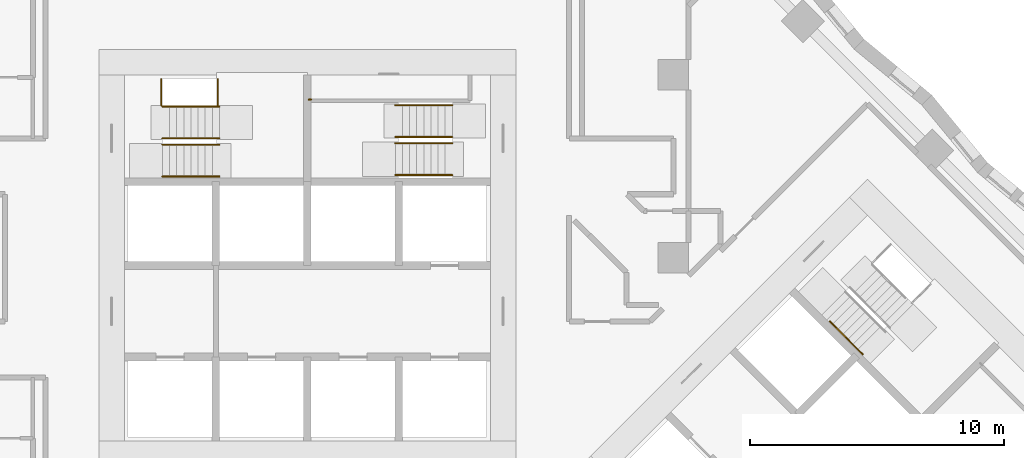
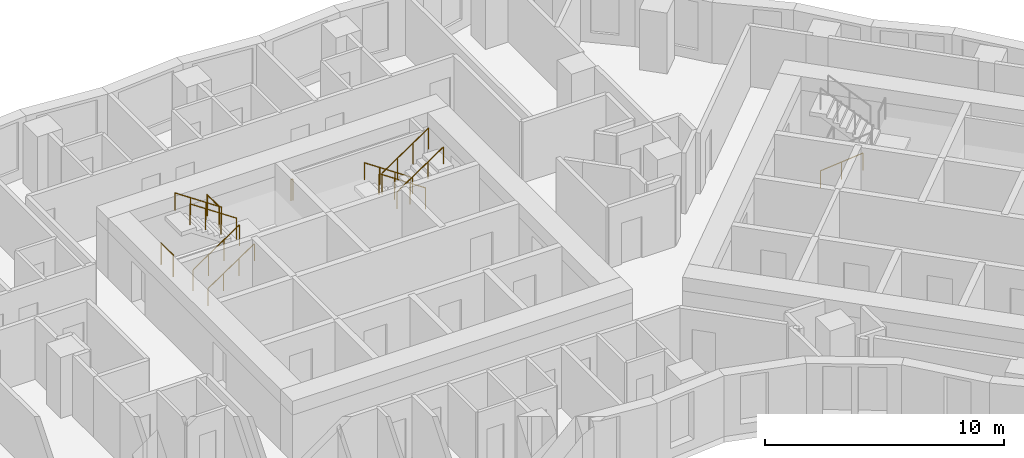
# One storey, part 12 of 13: 12 railings.
"""IFC4 building model written with IfcOpenShell, lengths in metres."""

from ifc_helpers import new_model, si_unit, direction, frame, origin, origin_2d, place, context, subcontext, project, spatial, circle, extrude, material, type_object, element, save


model = new_model("IFC4")

# Units and contexts
model_context = context("Model", 3, precision=1e-05, world=origin(), true_north=direction((0.0, 1.0)))
body_context = subcontext(model_context, "Body", "Model", "MODEL_VIEW")
ifc_project = project(units=[si_unit("LENGTHUNIT", "METRE"), si_unit("AREAUNIT", "SQUARE_METRE"), si_unit("VOLUMEUNIT", "CUBIC_METRE"), si_unit("PLANEANGLEUNIT", "RADIAN"), si_unit("MASSUNIT", "GRAM", prefix="KILO")], contexts=[model_context])

# Site, building, storey
site_placement = place(None, origin())
site = spatial("IfcSite", under=ifc_project, at=site_placement, CompositionType="ELEMENT")
building_placement = place(site_placement, origin())
building = spatial("IfcBuilding", under=site, at=building_placement, Name="Windrow Commons", CompositionType="ELEMENT")
storey_placement = place(building_placement, frame((0.0, 0.0, 30.4)))
storey = spatial("IfcBuildingStorey", under=building, at=storey_placement, Name="L07", CompositionType="ELEMENT", Elevation=30.4)

# Railings
ifc_material_1 = material(Name="Steel S355", Category="steel")
railing_type_1 = type_object("IfcRailingType", Name="Core stair guard 1100", PredefinedType="GUARDRAIL", material=ifc_material_1)
railing_1_placement = place(storey_placement, frame((59.1, 62.05, 0.1889)))
element("IfcRailing", 1, at=railing_1_placement, inside=storey, type_object=railing_type_1, Name="L07 ST-A1 stair guard 1", PredefinedType="GUARDRAIL", context=body_context, shape_type="SweptSolid", body=[
    extrude(circle(Radius=0.024, at=origin_2d()), frame((0.0, 0.0, 1.076), z_axis=(0.8290030985, 0.0, 0.5592440099), x_axis=(0.0, 1.0, 0.0)), (0.0, 0.0, 1.0), 2.702),
    extrude(circle(Radius=0.021, at=origin_2d()), origin(), (0.0, 0.0, 1.0), 1.052),
    extrude(circle(Radius=0.021, at=origin_2d()), frame((0.7467, 0.0, 0.5037)), (0.0, 0.0, 1.0), 1.052),
    extrude(circle(Radius=0.021, at=origin_2d()), frame((1.4933, 0.0, 1.0074)), (0.0, 0.0, 1.0), 1.052),
    extrude(circle(Radius=0.021, at=origin_2d()), frame((2.24, 0.0, 1.5111)), (0.0, 0.0, 1.0), 1.052),
])
railing_2_placement = place(storey_placement, frame((61.34, 62.3, 1.8889)))
element("IfcRailing", 2, at=railing_2_placement, inside=storey, type_object=railing_type_1, Name="L07 ST-A1 stair guard 2", PredefinedType="GUARDRAIL", context=body_context, shape_type="SweptSolid", body=[
    extrude(circle(Radius=0.024, at=origin_2d()), frame((0.0, 0.0, 1.076), z_axis=(-0.8290030985, 0.0, 0.5592440099), x_axis=(0.0, -1.0, 0.0)), (0.0, 0.0, 1.0), 2.702),
    extrude(circle(Radius=0.021, at=origin_2d()), origin(), (0.0, 0.0, 1.0), 1.052),
    extrude(circle(Radius=0.021, at=origin_2d()), frame((-0.7467, 0.0, 0.5037)), (0.0, 0.0, 1.0), 1.052),
    extrude(circle(Radius=0.021, at=origin_2d()), frame((-1.4933, 0.0, 1.0074)), (0.0, 0.0, 1.0), 1.052),
    extrude(circle(Radius=0.021, at=origin_2d()), frame((-2.24, 0.0, 1.5111)), (0.0, 0.0, 1.0), 1.052),
])
for number, where, name in (
    (3, (59.05, 63.6, 0.0), "L07 ST-A1 stair guard 3"),
    (4, (61.27, 63.6, 1.7), "L07 ST-A1 stair guard 4"),
):
    element("IfcRailing", number, at=place(storey_placement, frame(where)), inside=storey, type_object=railing_type_1, Name=name, PredefinedType="GUARDRAIL", context=body_context, shape_type="SweptSolid", body=[
        extrude(circle(Radius=0.024, at=origin_2d()), frame((0.0, 0.0, 1.076), z_axis=(0.0, 1.0, 0.0), x_axis=(-1.0, 0.0, 0.0)), (0.0, 0.0, 1.0), 1.03),
        extrude(circle(Radius=0.021, at=origin_2d()), origin(), (0.0, 0.0, 1.0), 1.052),
        extrude(circle(Radius=0.021, at=origin_2d()), frame((0.0, 1.03, 0.0)), (0.0, 0.0, 1.0), 1.052),
    ])
railing_3_placement = place(storey_placement, frame((70.5, 62.355, 0.1889)))
element("IfcRailing", 5, at=railing_3_placement, inside=storey, type_object=railing_type_1, Name="L07 ST-A2 stair guard 1", PredefinedType="GUARDRAIL", context=body_context, shape_type="SweptSolid", body=[
    extrude(circle(Radius=0.024, at=origin_2d()), frame((0.0, 0.0, 1.076), z_axis=(-0.8290030985, 0.0, 0.5592440099), x_axis=(0.0, -1.0, 0.0)), (0.0, 0.0, 1.0), 2.702),
    extrude(circle(Radius=0.021, at=origin_2d()), origin(), (0.0, 0.0, 1.0), 1.052),
    extrude(circle(Radius=0.021, at=origin_2d()), frame((-0.7467, 0.0, 0.5037)), (0.0, 0.0, 1.0), 1.052),
    extrude(circle(Radius=0.021, at=origin_2d()), frame((-1.4933, 0.0, 1.0074)), (0.0, 0.0, 1.0), 1.052),
    extrude(circle(Radius=0.021, at=origin_2d()), frame((-2.24, 0.0, 1.5111)), (0.0, 0.0, 1.0), 1.052),
])
railing_4_placement = place(storey_placement, frame((68.26, 62.105, 1.8889)))
element("IfcRailing", 6, at=railing_4_placement, inside=storey, type_object=railing_type_1, Name="L07 ST-A2 stair guard 2", PredefinedType="GUARDRAIL", context=body_context, shape_type="SweptSolid", body=[
    extrude(circle(Radius=0.024, at=origin_2d()), frame((0.0, 0.0, 1.076), z_axis=(0.8290030985, 0.0, 0.5592440099), x_axis=(0.0, 1.0, 0.0)), (0.0, 0.0, 1.0), 2.702),
    extrude(circle(Radius=0.021, at=origin_2d()), origin(), (0.0, 0.0, 1.0), 1.052),
    extrude(circle(Radius=0.021, at=origin_2d()), frame((0.7467, 0.0, 0.5037)), (0.0, 0.0, 1.0), 1.052),
    extrude(circle(Radius=0.021, at=origin_2d()), frame((1.4933, 0.0, 1.0074)), (0.0, 0.0, 1.0), 1.052),
    extrude(circle(Radius=0.021, at=origin_2d()), frame((2.24, 0.0, 1.5111)), (0.0, 0.0, 1.0), 1.052),
])
railing_5_placement = place(storey_placement, frame((64.95, 63.825, 1.7)))
element("IfcRailing", 7, at=railing_5_placement, inside=storey, type_object=railing_type_1, Name="L07 ST-A2 stair guard 3", PredefinedType="GUARDRAIL", context=body_context, shape_type="SweptSolid", body=[
    extrude(circle(Radius=0.024, at=origin_2d()), frame((0.0, 0.0, 1.076), z_axis=(-1.0, 0.0, 0.0), x_axis=(0.0, -1.0, 0.0)), (0.0, 0.0, 1.0), 0.1),
    extrude(circle(Radius=0.021, at=origin_2d()), origin(), (0.0, 0.0, 1.0), 1.052),
    extrude(circle(Radius=0.021, at=origin_2d()), frame((-0.1, 0.0, 0.0)), (0.0, 0.0, 1.0), 1.052),
])
ifc_material_2 = material(Name="Steel S355", Category="steel")
railing_type_2 = type_object("IfcRailingType", Name="Core stair handrail 900", PredefinedType="HANDRAIL", material=ifc_material_2)
railing_6_placement = place(storey_placement, frame((59.1, 60.8, 0.1889)))
element("IfcRailing", 8, at=railing_6_placement, inside=storey, type_object=railing_type_2, Name="L07 ST-A1 stair handrail 1", PredefinedType="HANDRAIL", context=body_context, shape_type="SweptSolid", body=[
    extrude(circle(Radius=0.024, at=origin_2d()), frame((0.0, 0.0, 0.876), z_axis=(0.8290030985, 0.0, 0.5592440099), x_axis=(0.0, 1.0, 0.0)), (0.0, 0.0, 1.0), 2.702),
    extrude(circle(Radius=0.021, at=origin_2d()), origin(), (0.0, 0.0, 1.0), 0.852),
    extrude(circle(Radius=0.021, at=origin_2d()), frame((0.7467, 0.0, 0.5037)), (0.0, 0.0, 1.0), 0.852),
    extrude(circle(Radius=0.021, at=origin_2d()), frame((1.4933, 0.0, 1.0074)), (0.0, 0.0, 1.0), 0.852),
    extrude(circle(Radius=0.021, at=origin_2d()), frame((2.24, 0.0, 1.5111)), (0.0, 0.0, 1.0), 0.852),
])
for number, where, name in (
    (9, (61.34, 63.55, 1.8889), "L07 ST-A1 stair handrail 2"),
    (10, (70.5, 63.605, 0.1889), "L07 ST-A2 stair handrail 1"),
):
    element("IfcRailing", number, at=place(storey_placement, frame(where)), inside=storey, type_object=railing_type_2, Name=name, PredefinedType="HANDRAIL", context=body_context, shape_type="SweptSolid", body=[
        extrude(circle(Radius=0.024, at=origin_2d()), frame((0.0, 0.0, 0.876), z_axis=(-0.8290030985, 0.0, 0.5592440099), x_axis=(0.0, -1.0, 0.0)), (0.0, 0.0, 1.0), 2.702),
        extrude(circle(Radius=0.021, at=origin_2d()), origin(), (0.0, 0.0, 1.0), 0.852),
        extrude(circle(Radius=0.021, at=origin_2d()), frame((-0.7467, 0.0, 0.5037)), (0.0, 0.0, 1.0), 0.852),
        extrude(circle(Radius=0.021, at=origin_2d()), frame((-1.4933, 0.0, 1.0074)), (0.0, 0.0, 1.0), 0.852),
        extrude(circle(Radius=0.021, at=origin_2d()), frame((-2.24, 0.0, 1.5111)), (0.0, 0.0, 1.0), 0.852),
    ])
railing_7_placement = place(storey_placement, frame((68.26, 60.855, 1.8889)))
element("IfcRailing", 11, at=railing_7_placement, inside=storey, type_object=railing_type_2, Name="L07 ST-A2 stair handrail 2", PredefinedType="HANDRAIL", context=body_context, shape_type="SweptSolid", body=[
    extrude(circle(Radius=0.024, at=origin_2d()), frame((0.0, 0.0, 0.876), z_axis=(0.8290030985, 0.0, 0.5592440099), x_axis=(0.0, 1.0, 0.0)), (0.0, 0.0, 1.0), 2.702),
    extrude(circle(Radius=0.021, at=origin_2d()), origin(), (0.0, 0.0, 1.0), 0.852),
    extrude(circle(Radius=0.021, at=origin_2d()), frame((0.7467, 0.0, 0.5037)), (0.0, 0.0, 1.0), 0.852),
    extrude(circle(Radius=0.021, at=origin_2d()), frame((1.4933, 0.0, 1.0074)), (0.0, 0.0, 1.0), 0.852),
    extrude(circle(Radius=0.021, at=origin_2d()), frame((2.24, 0.0, 1.5111)), (0.0, 0.0, 1.0), 0.852),
])
railing_8_placement = place(storey_placement, frame((85.3518, 55.1001, 0.4587)))
element("IfcRailing", 12, at=railing_8_placement, inside=storey, type_object=railing_type_2, Name="L07 ST-B1 stair handrail 1", PredefinedType="HANDRAIL", context=body_context, shape_type="SweptSolid", body=[
    extrude(circle(Radius=0.024, at=origin_2d()), frame((0.0, 0.0, 0.876), z_axis=(0.586206706, -0.5861616513, 0.5592639952), x_axis=(0.7070796062, 0.7071339551, 0.0)), (0.0, 0.0, 1.0), 2.2195),
    extrude(circle(Radius=0.021, at=origin_2d()), origin(), (0.0, 0.0, 1.0), 0.852),
    extrude(circle(Radius=0.021, at=origin_2d()), frame((0.6506, -0.6505, 0.6207)), (0.0, 0.0, 1.0), 0.852),
    extrude(circle(Radius=0.021, at=origin_2d()), frame((1.3011, -1.301, 1.2413)), (0.0, 0.0, 1.0), 0.852),
])

save(model, "model.ifc")
